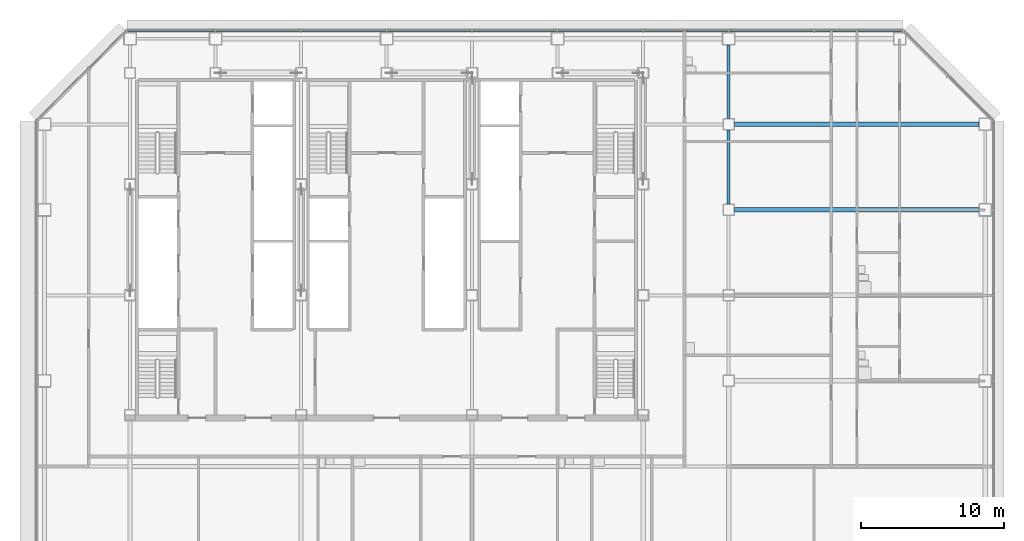
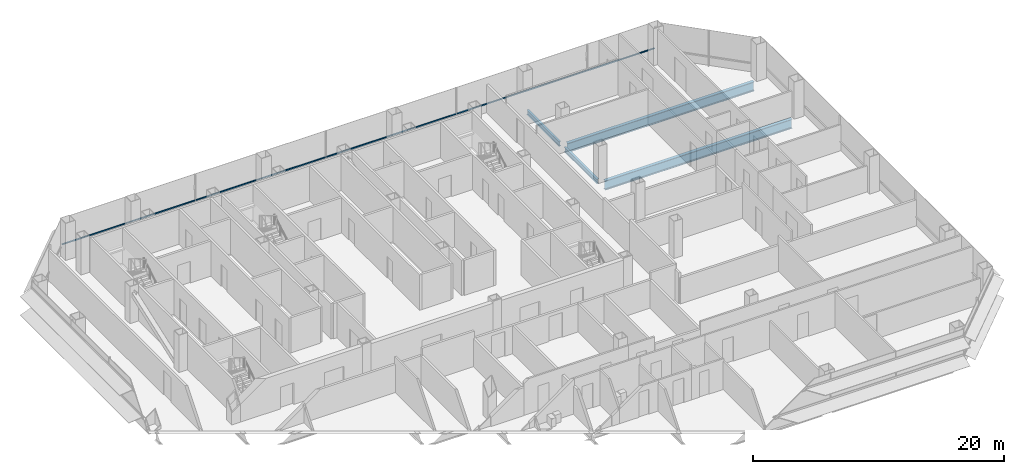
# One storey, part 14 of 26: 4 beams, 1 member, 1 element without a shape of its own.
"""IFC4 building model written with IfcOpenShell, lengths in metres."""

from ifc_helpers import new_model, si_unit, direction, frame, origin, origin_2d, place, context, subcontext, project, spatial, rectangle, i_section, extrude, material, material_profile, profile_set, type_object, element, aggregate, save


model = new_model("IFC4")

# Units and contexts
model_context = context("Model", 3, precision=1e-05, world=origin(), true_north=direction((0.0, 1.0)))
body_context = subcontext(model_context, "Body", "Model", "MODEL_VIEW")
ifc_project = project(units=[si_unit("LENGTHUNIT", "METRE"), si_unit("AREAUNIT", "SQUARE_METRE"), si_unit("VOLUMEUNIT", "CUBIC_METRE"), si_unit("PLANEANGLEUNIT", "RADIAN"), si_unit("MASSUNIT", "GRAM", prefix="KILO")], contexts=[model_context])

# Site, building, storey
site_placement = place(None, origin())
site = spatial("IfcSite", under=ifc_project, at=site_placement, CompositionType="ELEMENT")
building_placement = place(site_placement, origin())
building = spatial("IfcBuilding", under=site, at=building_placement, Name="Sorahane Residences", CompositionType="ELEMENT")
storey_placement = place(building_placement, frame((0.0, 0.0, 71.39990234375)))
storey = spatial("IfcBuildingStorey", under=building, at=storey_placement, Name="L14", CompositionType="ELEMENT", Elevation=71.39990234375)

# Curtain wall, member
ifc_material_1 = material(Name="Dark low-e glass and black anodised aluminium", Category="aluminium")
curtain_wall_type = type_object("IfcCurtainWallType", Name="Curtain wall CW-1 Typical unitised wall", PredefinedType="NOTDEFINED", material=ifc_material_1)
curtain_wall_placement = place(storey_placement, origin())
curtain_wall = element("IfcCurtainWall", 1, at=curtain_wall_placement, inside=storey, type_object=curtain_wall_type, Name="CW-1 curtain wall L14 N1", PredefinedType="NOTDEFINED")
ifc_material_2 = material(Name="Black anodised aluminium", Category="aluminium")
ifc_material_profile_1 = material_profile(ifc_material_2, rectangle(XDim=0.10009765625, YDim=0.06005859375, at=origin_2d()), Name="Curtain wall transom CW-1 black anodised aluminium 60x100")
ifc_profile_set_1 = profile_set([ifc_material_profile_1], Name="Black anodised aluminium")
member_type = type_object("IfcMemberType", Name="Curtain wall transom CW-1 black anodised aluminium 60x100", PredefinedType="USERDEFINED", material=ifc_profile_set_1)
member_placement = place(storey_placement, frame((60.198486328125, 48.530029296875, 0.900146484375), z_axis=(-1.0, 0.0, 0.0), x_axis=(0.0, -1.0, 0.0)))
member = element("IfcMember", 2, at=member_placement, type_object=member_type, Name="CW-1 transom L14 N1", ObjectType="TRANSOM", PredefinedType="USERDEFINED", context=body_context, shape_type="SweptSolid", body=[
    extrude(rectangle(XDim=0.10009765625, YDim=0.06005859375, at=origin_2d()), origin(), (0.0, 0.0, 1.0), 54.39697265625),
])
aggregate(curtain_wall, [member])

# Beams
ifc_material_3 = material(Name="Steel Q355B", Category="steel")
ifc_material_profile_2 = material_profile(ifc_material_3, i_section(OverallWidth=0.199951171875, OverallDepth=0.449951171875, WebThickness=0.009033203125, FlangeThickness=0.013916015625, FilletRadius=0.02001953125, at=origin_2d()), Name="HN 450x200x9x14")
ifc_profile_set_2 = profile_set([ifc_material_profile_2], Name="Steel Q355B")
beam_type_1 = type_object("IfcBeamType", Name="Steel floor beam HN 450x200x9x14 Q355B", PredefinedType="BEAM", material=ifc_profile_set_2)
beam_1_placement = place(storey_placement, frame((48.0, 36.39990234375, -0.40478515625), z_axis=(0.0, 1.0, 0.0), x_axis=(-1.0, 0.0, 0.0)))
element("IfcBeam", 3, at=beam_1_placement, inside=storey, type_object=beam_type_1, Name="Beam L14 055", PredefinedType="BEAM", context=body_context, shape_type="SweptSolid", body=[
    extrude(i_section(OverallWidth=0.199951171875, OverallDepth=0.449951171875, WebThickness=0.009033203125, FlangeThickness=0.013916015625, FilletRadius=0.02001953125, at=origin_2d()), origin(), (0.0, 0.0, 1.0), 5.2001953125),
])
beam_2_placement = place(storey_placement, frame((48.0, 42.39990234375, -0.40478515625), z_axis=(0.0, 1.0, 0.0), x_axis=(-1.0, 0.0, 0.0)))
element("IfcBeam", 4, at=beam_2_placement, inside=storey, type_object=beam_type_1, Name="Beam L14 056", PredefinedType="BEAM", context=body_context, shape_type="SweptSolid", body=[
    extrude(i_section(OverallWidth=0.199951171875, OverallDepth=0.449951171875, WebThickness=0.009033203125, FlangeThickness=0.013916015625, FilletRadius=0.02001953125, at=origin_2d()), origin(), (0.0, 0.0, 1.0), 5.150146484375),
])
ifc_material_4 = material(Name="Steel Q355B", Category="steel")
ifc_material_profile_3 = material_profile(ifc_material_4, i_section(OverallWidth=0.300048828125, OverallDepth=0.89990234375, WebThickness=0.01611328125, FlangeThickness=0.028076171875, FilletRadius=0.028076171875, at=origin_2d()), Name="HN 900x300x16x28")
ifc_profile_set_3 = profile_set([ifc_material_profile_3], Name="Steel Q355B")
beam_type_2 = type_object("IfcBeamType", Name="Steel floor beam HN 900x300x16x28 Q355B", PredefinedType="BEAM", material=ifc_profile_set_3)
for number, where, z_axis, x_axis, name in (
    (5, (48.39990234375, 36.0, -0.6298828125), (1.0, 0.0, 0.0), (0.0, 1.0, 0.0), "Beam L14 011"),
    (6, (48.39990234375, 42.0, -0.6298828125), (1.0, 0.0, 0.0), (0.0, 1.0, 0.0), "Beam L14 081"),
):
    element("IfcBeam", number, at=place(storey_placement, frame(where, z_axis=z_axis, x_axis=x_axis)), inside=storey, type_object=beam_type_2, Name=name, PredefinedType="BEAM", context=body_context, shape_type="SweptSolid", body=[
        extrude(i_section(OverallWidth=0.300048828125, OverallDepth=0.89990234375, WebThickness=0.01611328125, FlangeThickness=0.028076171875, FilletRadius=0.028076171875, at=origin_2d()), origin(), (0.0, 0.0, 1.0), 17.150146484375),
    ])

save(model, "model.ifc")
